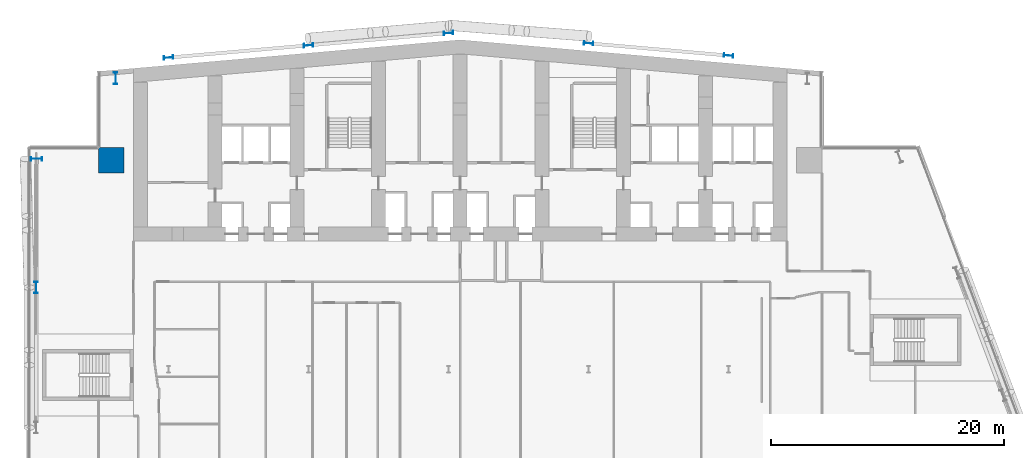
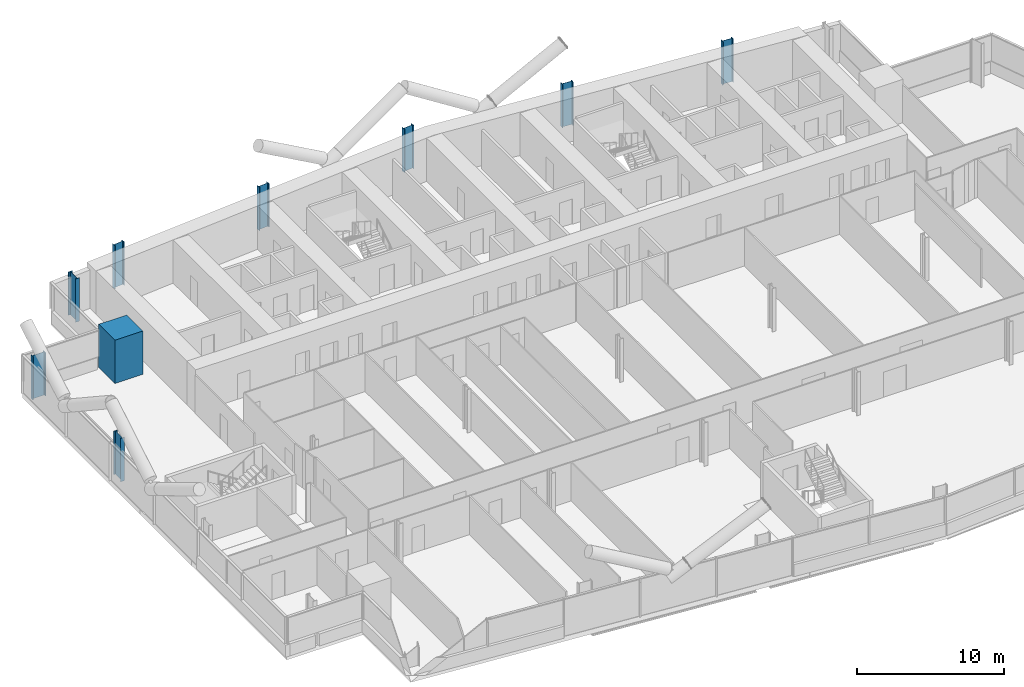
# One storey, part 2 of 27: 9 columns.
"""IFC4 building model written with IfcOpenShell, lengths in metres."""

from ifc_helpers import new_model, si_unit, direction, frame, origin, origin_2d, place, context, subcontext, project, spatial, rectangle, i_section, extrude, material, material_profile, profile_set, type_object, element, save


model = new_model("IFC4")

# Units and contexts
model_context = context("Model", 3, precision=1e-05, world=origin(), true_north=direction((0.0, 1.0)))
body_context = subcontext(model_context, "Body", "Model", "MODEL_VIEW")
ifc_project = project(units=[si_unit("LENGTHUNIT", "METRE"), si_unit("AREAUNIT", "SQUARE_METRE"), si_unit("VOLUMEUNIT", "CUBIC_METRE"), si_unit("PLANEANGLEUNIT", "RADIAN"), si_unit("MASSUNIT", "GRAM", prefix="KILO")], contexts=[model_context])

# Site, building, storey
site_placement = place(None, origin())
site = spatial("IfcSite", under=ifc_project, at=site_placement, CompositionType="ELEMENT")
building_placement = place(site_placement, origin())
building = spatial("IfcBuilding", under=site, at=building_placement, Name="Wharfspan Tower", CompositionType="ELEMENT")
storey_placement = place(building_placement, frame((0.0, 0.0, 48.699951)))
storey = spatial("IfcBuildingStorey", under=building, at=storey_placement, Name="L08", CompositionType="ELEMENT", Elevation=48.699951)

# Columns
ifc_material_1 = material(Name="Steel S355J2", Category="steel")
ifc_material_profile_1 = material_profile(ifc_material_1, i_section(OverallWidth=0.302002, OverallDepth=1.008057, WebThickness=0.020996, FlangeThickness=0.040039, FilletRadius=0.030029, at=origin_2d()))
ifc_profile_set_1 = profile_set([ifc_material_profile_1], Name="Steel S355J2")
column_type_1 = type_object("IfcColumnType", Name="Column HEM 1000", PredefinedType="COLUMN", material=ifc_profile_set_1)
for number, where, z_axis, x_axis, name in (
    (1, (7.466553, 47.933594, 0.0), (0.0, 0.0, 1.0), (-1.0, 0.0, 0.0), "Perimeter column PNRW-V.1 L08"),
    (2, (0.684814, 41.03418, 0.0), (0.0, 0.0, 1.0), (0.0, 1.0, 0.0), "Perimeter column PNRW-H.1 L08"),
    (3, (0.659912, 30.0, 0.0), (0.0, 0.0, 1.0), (-1.0, 0.0, 0.0), "Perimeter column PW.1 L08"),
):
    element("IfcColumn", number, at=place(storey_placement, frame(where, z_axis=z_axis, x_axis=x_axis)), inside=storey, type_object=column_type_1, Name=name, PredefinedType="COLUMN", context=body_context, shape_type="SweptSolid", body=[
        extrude(i_section(OverallWidth=0.302002, OverallDepth=1.008057, WebThickness=0.020996, FlangeThickness=0.040039, FilletRadius=0.030029, at=origin_2d()), origin(), (0.0, 0.0, 1.0), 3.600098),
    ])
ifc_material_profile_2 = material_profile(ifc_material_1, i_section(OverallWidth=0.302979, OverallDepth=0.813965, WebThickness=0.020996, FlangeThickness=0.040039, FilletRadius=0.030029, at=origin_2d()))
ifc_profile_set_2 = profile_set([ifc_material_profile_2], Name="Steel S355J2")
column_type_2 = type_object("IfcColumnType", Name="Column HEM 800", PredefinedType="COLUMN", material=ifc_profile_set_2)
for number, where, z_axis, x_axis, name in (
    (4, (12.0, 49.709961, 0.0), (0.0, 0.0, 1.0), (-0.087156, 0.996197, 0.0), "Rear column R.1 L08"),
    (5, (24.0, 50.759766, 0.0), (0.0, 0.0, 1.0), (-0.087156, 0.996197, 0.0), "Rear column R.2 L08"),
    (6, (36.0, 51.80957, 0.0), (0.0, 0.0, 1.0), (-0.087156, 0.996197, 0.0), "Rear column R.3 L08"),
    (7, (48.0, 50.934814, 0.0), (0.0, 0.0, 1.0), (0.087156, 0.996197, 0.0), "Rear column R.4 L08"),
    (8, (60.0, 49.884766, 0.0), (0.0, 0.0, 1.0), (0.087156, 0.996197, 0.0), "Rear column R.5 L08"),
):
    element("IfcColumn", number, at=place(storey_placement, frame(where, z_axis=z_axis, x_axis=x_axis)), inside=storey, type_object=column_type_2, Name=name, PredefinedType="COLUMN", context=body_context, shape_type="SweptSolid", body=[
        extrude(i_section(OverallWidth=0.302979, OverallDepth=0.813965, WebThickness=0.020996, FlangeThickness=0.040039, FilletRadius=0.030029, at=origin_2d()), origin(), (0.0, 0.0, 1.0), 3.600098),
    ])
ifc_material_2 = material(Name="Concrete C70/85", Category="concrete")
ifc_material_profile_3 = material_profile(ifc_material_2, rectangle(XDim=2.199951, YDim=2.199951, at=origin_2d()))
ifc_profile_set_3 = profile_set([ifc_material_profile_3], Name="Concrete C70/85")
column_type_3 = type_object("IfcColumnType", Name="Mega column 2200 C70/85", PredefinedType="COLUMN", material=ifc_profile_set_3)
column_placement = place(storey_placement, frame((7.100098, 40.899902, 0.0), z_axis=(0.0, 0.0, 1.0), x_axis=(1.0, 0.0, 0.0)))
element("IfcColumn", 9, at=column_placement, inside=storey, type_object=column_type_3, Name="Mega column MC2 L08", PredefinedType="COLUMN", context=body_context, shape_type="SweptSolid", body=[
    extrude(rectangle(XDim=2.199951, YDim=2.199951, at=origin_2d()), origin(), (0.0, 0.0, 1.0), 3.600098),
])

save(model, "model.ifc")
